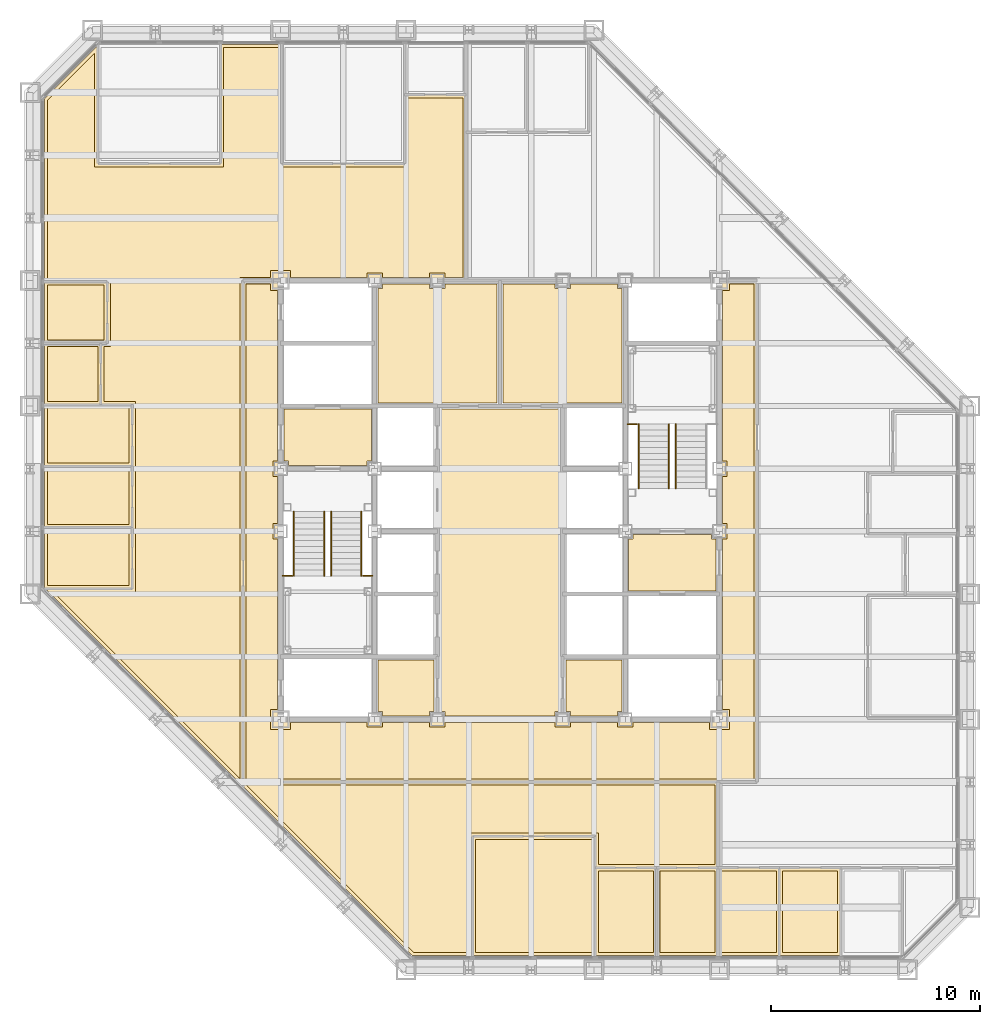
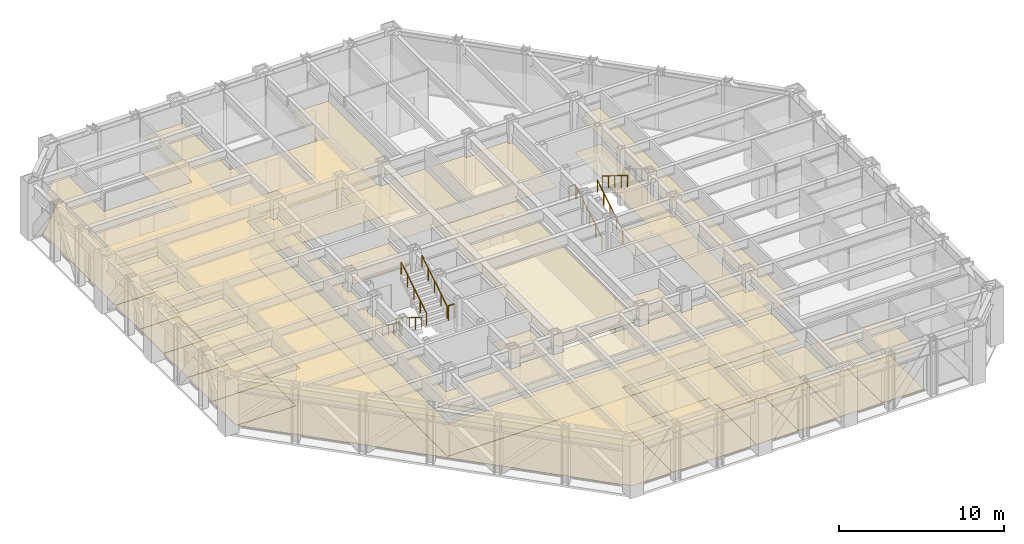
# One storey, part 14 of 16: 32 coverings, 10 railings.
"""IFC4 building model written with IfcOpenShell, lengths in metres."""

from ifc_helpers import new_model, si_unit, direction, frame, origin, origin_2d, place, context, subcontext, project, spatial, polyline, circle, outline, extrude, material, layer, layer_set, type_object, element, save


model = new_model("IFC4")

# Units and contexts
model_context = context("Model", 3, precision=1e-05, world=origin(), true_north=direction((0.0, 1.0)))
body_context = subcontext(model_context, "Body", "Model", "MODEL_VIEW")
ifc_project = project(units=[si_unit("LENGTHUNIT", "METRE"), si_unit("AREAUNIT", "SQUARE_METRE"), si_unit("VOLUMEUNIT", "CUBIC_METRE"), si_unit("PLANEANGLEUNIT", "RADIAN"), si_unit("MASSUNIT", "GRAM", prefix="KILO")], contexts=[model_context])

# Site, building, storey
site_placement = place(None, origin())
site = spatial("IfcSite", under=ifc_project, at=site_placement, CompositionType="ELEMENT")
building_placement = place(site_placement, origin())
building = spatial("IfcBuilding", under=site, at=building_placement, Name="Chuquiago Exchange Tower", CompositionType="ELEMENT")
storey_placement = place(building_placement, frame((0.0, 0.0, 161.39990234375)))
storey = spatial("IfcBuildingStorey", under=building, at=storey_placement, Name="L35", CompositionType="ELEMENT", Elevation=161.39990234375)

# Coverings
ifc_material_1 = material(Name="Mineral fibre tile, 600 x 600, on pale metal grid", Category="mineral fibre")
ifc_layer_1 = layer(ifc_material_1, 0.02001953125)
ifc_layer_set_1 = layer_set([ifc_layer_1], Name="CL1 suspended tile ceiling 20")
covering_type_1 = type_object("IfcCoveringType", Name="CL1 suspended tile ceiling 20", PredefinedType="CEILING", material=ifc_layer_set_1)
covering_1_placement = place(storey_placement, frame((0.0, 0.0, 2.800048828125)))
element("IfcCovering", 1, at=covering_1_placement, inside=storey, type_object=covering_type_1, Name="Ceiling Investor relations office", PredefinedType="CEILING", context=body_context, shape_type="SweptSolid", body=[
    extrude(outline(polyline([(21.33642578125, 6.25), (26.912109375, 6.25), (26.912109375, 0.85009765625), (21.33642578125, 0.85009765625), (21.33642578125, 6.25)])), origin(), (0.0, 0.0, 1.0), 0.02001953125),
])
covering_2_placement = place(storey_placement, frame((0.0, 0.0, 2.800048828125)))
element("IfcCovering", 2, at=covering_2_placement, inside=storey, type_object=covering_type_1, Name="Ceiling Office", PredefinedType="CEILING", context=body_context, shape_type="SweptSolid", body=[
    extrude(outline(polyline([(27.212158203125, 4.75), (29.85009765625, 4.75), (29.85009765625, 0.85009765625), (27.212158203125, 0.85009765625), (27.212158203125, 4.75)])), origin(), (0.0, 0.0, 1.0), 0.02001953125),
])
covering_3_placement = place(storey_placement, frame((0.0, 0.0, 2.800048828125)))
element("IfcCovering", 3, at=covering_3_placement, inside=storey, type_object=covering_type_1, Name="Ceiling Office", PredefinedType="CEILING", context=body_context, shape_type="SweptSolid", body=[
    extrude(outline(polyline([(30.14990234375, 4.75), (32.787841796875, 4.75), (32.787841796875, 0.85009765625), (30.14990234375, 0.85009765625), (30.14990234375, 4.75)])), origin(), (0.0, 0.0, 1.0), 0.02001953125),
])
covering_4_placement = place(storey_placement, frame((0.0, 0.0, 2.800048828125)))
element("IfcCovering", 4, at=covering_4_placement, inside=storey, type_object=covering_type_1, Name="Ceiling Office", PredefinedType="CEILING", context=body_context, shape_type="SweptSolid", body=[
    extrude(outline(polyline([(33.087890625, 4.75), (35.7255859375, 4.75), (35.7255859375, 0.85009765625), (33.087890625, 0.85009765625), (33.087890625, 4.75)])), origin(), (0.0, 0.0, 1.0), 0.02001953125),
])
covering_5_placement = place(storey_placement, frame((0.0, 0.0, 2.800048828125)))
element("IfcCovering", 5, at=covering_5_placement, inside=storey, type_object=covering_type_1, Name="Ceiling Office", PredefinedType="CEILING", context=body_context, shape_type="SweptSolid", body=[
    extrude(outline(polyline([(36.025634765625, 4.75), (38.66357421875, 4.75), (38.66357421875, 0.85009765625), (36.025634765625, 0.85009765625), (36.025634765625, 4.75)])), origin(), (0.0, 0.0, 1.0), 0.02001953125),
])
covering_6_placement = place(storey_placement, frame((0.0, 0.0, 2.800048828125)))
element("IfcCovering", 6, at=covering_6_placement, inside=storey, type_object=covering_type_1, Name="Ceiling Office", PredefinedType="CEILING", context=body_context, shape_type="SweptSolid", body=[
    extrude(outline(polyline([(0.85009765625, 21.036376953125), (4.75, 21.036376953125), (4.75, 18.3984375), (0.85009765625, 18.3984375), (0.85009765625, 21.036376953125)])), origin(), (0.0, 0.0, 1.0), 0.02001953125),
])
covering_7_placement = place(storey_placement, frame((0.0, 0.0, 2.800048828125)))
element("IfcCovering", 7, at=covering_7_placement, inside=storey, type_object=covering_type_1, Name="Ceiling Office", PredefinedType="CEILING", context=body_context, shape_type="SweptSolid", body=[
    extrude(outline(polyline([(4.75, 23.974365234375), (4.75, 21.33642578125), (0.85009765625, 21.33642578125), (0.85009765625, 23.974365234375), (4.75, 23.974365234375)])), origin(), (0.0, 0.0, 1.0), 0.02001953125),
])
covering_8_placement = place(storey_placement, frame((0.0, 0.0, 2.800048828125)))
element("IfcCovering", 8, at=covering_8_placement, inside=storey, type_object=covering_type_1, Name="Ceiling Office", PredefinedType="CEILING", context=body_context, shape_type="SweptSolid", body=[
    extrude(outline(polyline([(4.75, 26.912109375), (4.75, 24.2744140625), (0.85009765625, 24.2744140625), (0.85009765625, 26.912109375), (4.75, 26.912109375)])), origin(), (0.0, 0.0, 1.0), 0.02001953125),
])
covering_9_placement = place(storey_placement, frame((0.0, 0.0, 2.800048828125)))
element("IfcCovering", 9, at=covering_9_placement, inside=storey, type_object=covering_type_1, Name="Ceiling Store", PredefinedType="CEILING", context=body_context, shape_type="SweptSolid", body=[
    extrude(outline(polyline([(3.25, 29.85009765625), (3.25, 27.212158203125), (0.85009765625, 27.212158203125), (0.85009765625, 29.85009765625), (3.25, 29.85009765625)])), origin(), (0.0, 0.0, 1.0), 0.02001953125),
])
covering_10_placement = place(storey_placement, frame((0.0, 0.0, 2.800048828125)))
element("IfcCovering", 10, at=covering_10_placement, inside=storey, type_object=covering_type_1, Name="Ceiling Pantry", PredefinedType="CEILING", context=body_context, shape_type="SweptSolid", body=[
    extrude(outline(polyline([(3.550048828125, 32.787841796875), (3.550048828125, 30.14990234375), (0.85009765625, 30.14990234375), (0.85009765625, 32.787841796875), (3.550048828125, 32.787841796875)])), origin(), (0.0, 0.0, 1.0), 0.02001953125),
])
covering_11_placement = place(storey_placement, frame((0.0, 0.0, 2.800048828125)))
element("IfcCovering", 11, at=covering_11_placement, inside=storey, type_object=covering_type_1, Name="Ceiling Open office west suite", PredefinedType="CEILING", context=body_context, shape_type="SweptSolid", body=[
    extrude(outline(polyline([(3.098388671875, 38.449951171875), (9.2744140625, 38.449951171875), (9.2744140625, 44.14990234375), (11.912109375, 44.14990234375), (11.912109375, 38.449951171875), (18.087890625, 38.449951171875), (18.087890625, 41.75), (20.72509765625, 41.75), (20.72509765625, 33.14990234375), (19.875, 33.14990234375), (19.875, 33.375), (19.125, 33.375), (19.125, 33.14990234375), (16.875, 33.14990234375), (16.875, 33.375), (16.125, 33.375), (16.125, 33.14990234375), (12.47509765625, 33.150146484375), (12.47509765625, 33.47509765625), (11.52490234375, 33.47509765625), (11.52490234375, 33.150146484375), (10.049560546875, 33.150146484375), (10.049560546875, 9.15234375), (1.103515625, 18.098388671875), (5.050048828125, 18.098388671875), (5.050048828125, 27.212158203125), (3.550048828125, 27.212158203125), (3.550048828125, 29.85009765625), (3.85009765625, 29.85009765625), (3.85009765625, 33.087890625), (0.85009765625, 33.087890625), (0.85009765625, 41.64794921875), (3.098388671875, 43.896484375), (3.098388671875, 38.449951171875)])), origin(), (0.0, 0.0, 1.0), 0.02001953125),
])
covering_12_placement = place(storey_placement, frame((0.0, 0.0, 2.800048828125)))
element("IfcCovering", 12, at=covering_12_placement, inside=storey, type_object=covering_type_1, Name="Ceiling Open office west suite", PredefinedType="CEILING", context=body_context, shape_type="SweptSolid", body=[
    extrude(outline(polyline([(32.787353515625, 8.849609375), (32.787353515625, 5.050048828125), (27.212158203125, 5.050048828125), (27.212158203125, 6.550048828125), (21.036376953125, 6.550048828125), (21.036376953125, 0.85009765625), (18.35205078125, 0.85009765625), (10.352294921875, 8.849609375), (32.787353515625, 8.849609375)])), origin(), (0.0, 0.0, 1.0), 0.02001953125),
])
covering_13_placement = place(storey_placement, frame((0.0, 0.0, 2.800048828125)))
element("IfcCovering", 13, at=covering_13_placement, inside=storey, type_object=covering_type_1, Name="Ceiling Tenant corridor", PredefinedType="CEILING", context=body_context, shape_type="SweptSolid", body=[
    extrude(outline(polyline([(16.125, 11.85009765625), (16.125, 11.625), (16.875, 11.625), (16.875, 11.85009765625), (19.125, 11.85009765625), (19.125, 11.625), (19.875, 11.625), (19.875, 11.85009765625), (25.125, 11.85009765625), (25.125, 11.625), (25.875, 11.625), (25.875, 11.85009765625), (28.125, 11.85009765625), (28.125, 11.625), (28.875, 11.625), (28.875, 11.85009765625), (32.52490234375, 11.85009765625), (32.52490234375, 11.52490234375), (33.47509765625, 11.52490234375), (33.47509765625, 12.47509765625), (33.14990234375, 12.47509765625), (33.14990234375, 20.625), (33.375, 20.625), (33.375, 21.375), (33.14990234375, 21.375), (33.14990234375, 23.625), (33.375, 23.625), (33.375, 24.375), (33.14990234375, 24.375), (33.14990234375, 32.52490234375), (33.47509765625, 32.52490234375), (33.47509765625, 32.85009765625), (34.64990234375, 32.85009765625), (34.64990234375, 9.14990234375), (10.35009765625, 9.14990234375), (10.35009765625, 32.85009765625), (11.52490234375, 32.85009765625), (11.52490234375, 32.52490234375), (11.85009765625, 32.52490234375), (11.85009765625, 24.375), (11.625, 24.375), (11.625, 23.625), (11.85009765625, 23.625), (11.85009765625, 21.375), (11.625, 21.375), (11.625, 20.625), (11.85009765625, 20.625), (11.85009765625, 12.47509765625), (11.52490234375, 12.47509765625), (11.52490234375, 11.52490234375), (12.47509765625, 11.52490234375), (12.47509765625, 11.85009765625), (16.125, 11.85009765625)])), origin(), (0.0, 0.0, 1.0), 0.02001953125),
])
ifc_material_2 = material(Name="Moisture resistant plasterboard on metal frame", Category="gypsum")
ifc_layer_2 = layer(ifc_material_2, 0.014892578125)
ifc_layer_set_2 = layer_set([ifc_layer_2], Name="CL2 moisture resistant ceiling 15")
covering_type_2 = type_object("IfcCoveringType", Name="CL2 moisture resistant ceiling 15", PredefinedType="CEILING", material=ifc_layer_set_2)
covering_14_placement = place(storey_placement, frame((0.0, 0.0, 2.60009765625)))
element("IfcCovering", 14, at=covering_14_placement, inside=storey, type_object=covering_type_2, Name="Ceiling Male WC", PredefinedType="CEILING", context=body_context, shape_type="SweptSolid", body=[
    extrude(outline(polyline([(16.64990234375, 27.14990234375), (16.64990234375, 32.625), (16.875, 32.625), (16.875, 32.85009765625), (19.125, 32.85009765625), (19.125, 32.625), (19.875, 32.625), (19.875, 32.85009765625), (22.35009765625, 32.85009765625), (22.35009765625, 27.14990234375), (16.64990234375, 27.14990234375)])), origin(), (0.0, 0.0, 1.0), 0.014892578125),
])
covering_15_placement = place(storey_placement, frame((0.0, 0.0, 2.60009765625)))
element("IfcCovering", 15, at=covering_15_placement, inside=storey, type_object=covering_type_2, Name="Ceiling Female WC", PredefinedType="CEILING", context=body_context, shape_type="SweptSolid", body=[
    extrude(outline(polyline([(22.64990234375, 27.14990234375), (22.64990234375, 32.85009765625), (25.125, 32.85009765625), (25.125, 32.625), (25.875, 32.625), (25.875, 32.85009765625), (28.125, 32.85009765625), (28.125, 32.625), (28.35009765625, 32.625), (28.35009765625, 27.14990234375), (22.64990234375, 27.14990234375)])), origin(), (0.0, 0.0, 1.0), 0.014892578125),
])
covering_16_placement = place(storey_placement, frame((0.0, 0.0, 2.60009765625)))
element("IfcCovering", 16, at=covering_16_placement, inside=storey, type_object=covering_type_2, Name="Ceiling Accessible WC", PredefinedType="CEILING", context=body_context, shape_type="SweptSolid", body=[
    extrude(outline(polyline([(25.875, 12.14990234375), (25.875, 12.375), (25.64990234375, 12.375), (25.64990234375, 14.85009765625), (28.35009765625, 14.85009765625), (28.35009765625, 12.375), (28.125, 12.375), (28.125, 12.14990234375), (25.875, 12.14990234375)])), origin(), (0.0, 0.0, 1.0), 0.014892578125),
])
covering_17_placement = place(storey_placement, frame((0.0, 0.0, 2.60009765625)))
element("IfcCovering", 17, at=covering_17_placement, inside=storey, type_object=covering_type_2, Name="Ceiling Cleaner", PredefinedType="CEILING", context=body_context, shape_type="SweptSolid", body=[
    extrude(outline(polyline([(16.875, 12.14990234375), (16.875, 12.375), (16.64990234375, 12.375), (16.64990234375, 14.85009765625), (19.35009765625, 14.85009765625), (19.35009765625, 12.375), (19.125, 12.375), (19.125, 12.14990234375), (16.875, 12.14990234375)])), origin(), (0.0, 0.0, 1.0), 0.014892578125),
])
ifc_material_3 = material(Name="Pale metal plank ceiling, perforated", Category="aluminium")
ifc_layer_3 = layer(ifc_material_3, 0.030029296875)
ifc_layer_set_3 = layer_set([ifc_layer_3], Name="CL3 metal plank ceiling 30")
covering_type_3 = type_object("IfcCoveringType", Name="CL3 metal plank ceiling 30", PredefinedType="CEILING", material=ifc_layer_set_3)
covering_18_placement = place(storey_placement, frame((0.0, 0.0, 2.800048828125)))
element("IfcCovering", 18, at=covering_18_placement, inside=storey, type_object=covering_type_3, Name="Ceiling Lift lobby", PredefinedType="CEILING", context=body_context, shape_type="SweptSolid", body=[
    extrude(outline(polyline([(19.875, 12.14990234375), (19.875, 12.375), (19.64990234375, 12.375), (19.64990234375, 26.85009765625), (25.35009765625, 26.85009765625), (25.35009765625, 12.375), (25.125, 12.375), (25.125, 12.14990234375), (19.875, 12.14990234375)])), origin(), (0.0, 0.0, 1.0), 0.030029296875),
])
covering_19_placement = place(storey_placement, frame((0.0, 0.0, 2.800048828125)))
element("IfcCovering", 19, at=covering_19_placement, inside=storey, type_object=covering_type_3, Name="Ceiling Firefighting lobby", PredefinedType="CEILING", context=body_context, shape_type="SweptSolid", body=[
    extrude(outline(polyline([(12.375, 24.14990234375), (12.375, 24.375), (12.14990234375, 24.375), (12.14990234375, 26.85009765625), (16.35009765625, 26.85009765625), (16.35009765625, 24.375), (16.125, 24.375), (16.125, 24.14990234375), (12.375, 24.14990234375)])), origin(), (0.0, 0.0, 1.0), 0.030029296875),
])
covering_20_placement = place(storey_placement, frame((0.0, 0.0, 2.800048828125)))
element("IfcCovering", 20, at=covering_20_placement, inside=storey, type_object=covering_type_3, Name="Ceiling Firefighting lobby", PredefinedType="CEILING", context=body_context, shape_type="SweptSolid", body=[
    extrude(outline(polyline([(28.64990234375, 18.14990234375), (28.64990234375, 20.625), (28.875, 20.625), (28.875, 20.85009765625), (32.625, 20.85009765625), (32.625, 20.625), (32.85009765625, 20.625), (32.85009765625, 18.14990234375), (28.64990234375, 18.14990234375)])), origin(), (0.0, 0.0, 1.0), 0.030029296875),
])
ifc_material_4 = material(Name="Carpet tile, 500 x 500, on the floor slab", Category="textile")
ifc_layer_4 = layer(ifc_material_4, 0.010009765625)
ifc_layer_set_4 = layer_set([ifc_layer_4], Name="FL1 carpet tile 10")
covering_type_4 = type_object("IfcCoveringType", Name="FL1 carpet tile 10", PredefinedType="FLOORING", material=ifc_layer_set_4)
covering_21_placement = place(storey_placement, origin())
element("IfcCovering", 21, at=covering_21_placement, inside=storey, type_object=covering_type_4, Name="Floor finish Investor relations office", PredefinedType="FLOORING", context=body_context, shape_type="SweptSolid", body=[
    extrude(outline(polyline([(21.186279296875, 0.699951171875), (21.186279296875, 6.39990234375), (27.06201171875, 6.39990234375), (27.06201171875, 0.699951171875), (21.186279296875, 0.699951171875)])), origin(), (0.0, 0.0, 1.0), 0.010009765625),
])
covering_22_placement = place(storey_placement, origin())
element("IfcCovering", 22, at=covering_22_placement, inside=storey, type_object=covering_type_4, Name="Floor finish Office", PredefinedType="FLOORING", context=body_context, shape_type="SweptSolid", body=[
    extrude(outline(polyline([(27.06201171875, 0.699951171875), (27.06201171875, 4.89990234375), (30.0, 4.89990234375), (30.0, 0.699951171875), (27.06201171875, 0.699951171875)])), origin(), (0.0, 0.0, 1.0), 0.010009765625),
])
covering_23_placement = place(storey_placement, origin())
element("IfcCovering", 23, at=covering_23_placement, inside=storey, type_object=covering_type_4, Name="Floor finish Office", PredefinedType="FLOORING", context=body_context, shape_type="SweptSolid", body=[
    extrude(outline(polyline([(30.0, 0.699951171875), (30.0, 4.89990234375), (32.93798828125, 4.89990234375), (32.93798828125, 0.699951171875), (30.0, 0.699951171875)])), origin(), (0.0, 0.0, 1.0), 0.010009765625),
])
covering_24_placement = place(storey_placement, origin())
element("IfcCovering", 24, at=covering_24_placement, inside=storey, type_object=covering_type_4, Name="Floor finish Office", PredefinedType="FLOORING", context=body_context, shape_type="SweptSolid", body=[
    extrude(outline(polyline([(32.93798828125, 0.699951171875), (32.93798828125, 4.89990234375), (35.875732421875, 4.89990234375), (35.875732421875, 0.699951171875), (32.93798828125, 0.699951171875)])), origin(), (0.0, 0.0, 1.0), 0.010009765625),
])
covering_25_placement = place(storey_placement, origin())
element("IfcCovering", 25, at=covering_25_placement, inside=storey, type_object=covering_type_4, Name="Floor finish Office", PredefinedType="FLOORING", context=body_context, shape_type="SweptSolid", body=[
    extrude(outline(polyline([(35.875732421875, 0.699951171875), (35.875732421875, 4.89990234375), (38.813720703125, 4.89990234375), (38.813720703125, 0.699951171875), (35.875732421875, 0.699951171875)])), origin(), (0.0, 0.0, 1.0), 0.010009765625),
])
covering_26_placement = place(storey_placement, origin())
element("IfcCovering", 26, at=covering_26_placement, inside=storey, type_object=covering_type_4, Name="Floor finish Office", PredefinedType="FLOORING", context=body_context, shape_type="SweptSolid", body=[
    extrude(outline(polyline([(0.699951171875, 21.186279296875), (4.89990234375, 21.186279296875), (4.89990234375, 18.24853515625), (0.741455078125, 18.24853515625), (0.699951171875, 18.289794921875), (0.699951171875, 21.186279296875)])), origin(), (0.0, 0.0, 1.0), 0.010009765625),
])
covering_27_placement = place(storey_placement, origin())
element("IfcCovering", 27, at=covering_27_placement, inside=storey, type_object=covering_type_4, Name="Floor finish Office", PredefinedType="FLOORING", context=body_context, shape_type="SweptSolid", body=[
    extrude(outline(polyline([(0.699951171875, 24.124267578125), (4.89990234375, 24.124267578125), (4.89990234375, 21.186279296875), (0.699951171875, 21.186279296875), (0.699951171875, 24.124267578125)])), origin(), (0.0, 0.0, 1.0), 0.010009765625),
])
covering_28_placement = place(storey_placement, origin())
element("IfcCovering", 28, at=covering_28_placement, inside=storey, type_object=covering_type_4, Name="Floor finish Office", PredefinedType="FLOORING", context=body_context, shape_type="SweptSolid", body=[
    extrude(outline(polyline([(0.699951171875, 27.06201171875), (4.89990234375, 27.06201171875), (4.89990234375, 24.124267578125), (0.699951171875, 24.124267578125), (0.699951171875, 27.06201171875)])), origin(), (0.0, 0.0, 1.0), 0.010009765625),
])
covering_29_placement = place(storey_placement, origin())
element("IfcCovering", 29, at=covering_29_placement, inside=storey, type_object=covering_type_4, Name="Floor finish Open office west suite", PredefinedType="FLOORING", context=body_context, shape_type="SweptSolid", body=[
    extrude(outline(polyline([(3.24853515625, 44.258544921875), (3.24853515625, 38.60009765625), (9.124267578125, 38.60009765625), (9.124267578125, 44.300048828125), (12.06201171875, 44.300048828125), (12.06201171875, 38.60009765625), (17.93798828125, 38.60009765625), (17.93798828125, 41.89990234375), (20.875244140625, 41.89990234375), (20.875244140625, 33.0), (10.199462890625, 33.0), (10.19970703125, 8.999755859375), (32.9375, 8.99951171875), (32.9375, 4.89990234375), (27.06201171875, 4.89990234375), (27.06201171875, 6.39990234375), (21.186279296875, 6.39990234375), (21.186279296875, 0.699951171875), (18.289794921875, 0.699951171875), (0.741455078125, 18.24853515625), (4.89990234375, 18.24853515625), (4.89990234375, 27.06201171875), (3.39990234375, 27.06201171875), (3.39990234375, 30.0), (3.699951171875, 30.0), (3.699951171875, 32.93798828125), (0.699951171875, 32.93798828125), (0.699951171875, 41.710205078125), (3.289794921875, 44.300048828125), (3.24853515625, 44.258544921875)])), origin(), (0.0, 0.0, 1.0), 0.010009765625),
])
ifc_material_5 = material(Name="Porcelain floor tile, 600 x 600, on adhesive bed", Category="ceramic")
ifc_layer_5 = layer(ifc_material_5, 0.014892578125)
ifc_layer_set_5 = layer_set([ifc_layer_5], Name="FL2 porcelain tile 15")
covering_type_5 = type_object("IfcCoveringType", Name="FL2 porcelain tile 15", PredefinedType="FLOORING", material=ifc_layer_set_5)
covering_30_placement = place(storey_placement, origin())
element("IfcCovering", 30, at=covering_30_placement, inside=storey, type_object=covering_type_5, Name="Floor finish Store", PredefinedType="FLOORING", context=body_context, shape_type="SweptSolid", body=[
    extrude(outline(polyline([(0.699951171875, 30.0), (3.39990234375, 30.0), (3.39990234375, 27.06201171875), (0.699951171875, 27.06201171875), (0.699951171875, 30.0)])), origin(), (0.0, 0.0, 1.0), 0.01513671875),
])
covering_31_placement = place(storey_placement, origin())
element("IfcCovering", 31, at=covering_31_placement, inside=storey, type_object=covering_type_5, Name="Floor finish Pantry", PredefinedType="FLOORING", context=body_context, shape_type="SweptSolid", body=[
    extrude(outline(polyline([(0.699951171875, 32.93798828125), (3.699951171875, 32.93798828125), (3.699951171875, 30.0), (0.699951171875, 30.0), (0.699951171875, 32.93798828125)])), origin(), (0.0, 0.0, 1.0), 0.01513671875),
])
covering_32_placement = place(storey_placement, origin())
element("IfcCovering", 32, at=covering_32_placement, inside=storey, type_object=covering_type_5, Name="Floor finish Tenant corridor", PredefinedType="FLOORING", context=body_context, shape_type="SweptSolid", body=[
    extrude(outline(polyline([(12.0, 12.0), (33.0, 12.0), (33.0, 33.0), (34.800048828125, 33.0), (34.800048828125, 9.0), (10.199951171875, 9.0), (10.199951171875, 33.0), (12.0, 33.0), (12.0, 12.0)])), origin(), (0.0, 0.0, 1.0), 0.01513671875),
])

# Railings
ifc_material_6 = material(Name="Pale metal guard with safety glass infill", Category="glass")
railing_type_1 = type_object("IfcRailingType", Name="GR1 guard 1100", PredefinedType="GUARDRAIL", material=ifc_material_6)
for number, where, name in (
    (33, (12.10009765625, 18.8701171875, 2.10009765625), "Guard ST1 L35 landing 2"),
    (34, (15.945068359375, 18.8701171875, 2.10009765625), "Guard ST1 L35 landing 2"),
    (35, (28.60009765625, 26.1298828125, 2.10009765625), "Guard ST2 L35 landing 2"),
):
    element("IfcRailing", number, at=place(storey_placement, frame(where)), inside=storey, type_object=railing_type_1, Name=name, PredefinedType="GUARDRAIL", context=body_context, shape_type="SweptSolid", body=[
        extrude(circle(Radius=0.02392578125, at=origin_2d()), frame((0.0, 0.0, 1.076171875), z_axis=(1.0, 0.0, 0.0), x_axis=(0.0, 1.0, 0.0)), (0.0, 0.0, 1.0), 0.454833984375),
        extrude(circle(Radius=0.02099609375, at=origin_2d()), origin(), (0.0, 0.0, 1.0), 1.052001953125),
        extrude(circle(Radius=0.02099609375, at=origin_2d()), frame((0.454833984375, 0.0, 0.0)), (0.0, 0.0, 1.0), 1.052001953125),
    ])
ifc_material_7 = material(Name="Pale metal handrail", Category="steel")
railing_type_2 = type_object("IfcRailingType", Name="HR1 handrail 900", PredefinedType="HANDRAIL", material=ifc_material_7)
for number, where, name in (
    (36, (12.635009765625, 21.949951171875, 0.175048828125), "Handrail ST1 L35 flight 1"),
    (37, (14.0849609375, 21.949951171875, 0.175048828125), "Handrail ST1 L35 flight 1"),
):
    element("IfcRailing", number, at=place(storey_placement, frame(where)), inside=storey, type_object=railing_type_2, Name=name, PredefinedType="HANDRAIL", context=body_context, shape_type="SweptSolid", body=[
        extrude(circle(Radius=0.02392578125, at=origin_2d()), frame((0.0, 0.0, 0.8759765625), z_axis=(0.0, -0.847979421464, 0.530029150871), x_axis=(1.0, 0.0, 0.0)), (0.0, 0.0, 1.0), 3.632080078125),
        extrude(circle(Radius=0.02099609375, at=origin_2d()), origin(), (0.0, 0.0, 1.0), 0.851806640625),
        extrude(circle(Radius=0.02099609375, at=origin_2d()), frame((0.0, -0.77001953125, 0.481201171875)), (0.0, 0.0, 1.0), 0.851806640625),
        extrude(circle(Radius=0.02099609375, at=origin_2d()), frame((0.0, -1.5400390625, 0.96240234375)), (0.0, 0.0, 1.0), 0.851806640625),
        extrude(circle(Radius=0.02099609375, at=origin_2d()), frame((0.0, -2.309814453125, 1.44384765625)), (0.0, 0.0, 1.0), 0.851806640625),
        extrude(circle(Radius=0.02099609375, at=origin_2d()), frame((0.0, -3.079833984375, 1.925048828125)), (0.0, 0.0, 1.0), 0.851806640625),
    ])
for number, where, name in (
    (38, (15.864990234375, 18.8701171875, 2.275146484375), "Handrail ST1 L35 flight 2"),
    (39, (14.4150390625, 18.8701171875, 2.275146484375), "Handrail ST1 L35 flight 2"),
    (40, (30.5849609375, 23.050048828125, 0.175048828125), "Handrail ST2 L35 flight 1"),
    (41, (29.135009765625, 23.050048828125, 0.175048828125), "Handrail ST2 L35 flight 1"),
):
    element("IfcRailing", number, at=place(storey_placement, frame(where)), inside=storey, type_object=railing_type_2, Name=name, PredefinedType="HANDRAIL", context=body_context, shape_type="SweptSolid", body=[
        extrude(circle(Radius=0.02392578125, at=origin_2d()), frame((0.0, 0.0, 0.8759765625), z_axis=(0.0, 0.847979421464, 0.530029150871), x_axis=(-1.0, 0.0, 0.0)), (0.0, 0.0, 1.0), 3.632080078125),
        extrude(circle(Radius=0.02099609375, at=origin_2d()), origin(), (0.0, 0.0, 1.0), 0.851806640625),
        extrude(circle(Radius=0.02099609375, at=origin_2d()), frame((0.0, 0.77001953125, 0.481201171875)), (0.0, 0.0, 1.0), 0.851806640625),
        extrude(circle(Radius=0.02099609375, at=origin_2d()), frame((0.0, 1.5400390625, 0.96240234375)), (0.0, 0.0, 1.0), 0.851806640625),
        extrude(circle(Radius=0.02099609375, at=origin_2d()), frame((0.0, 2.309814453125, 1.44384765625)), (0.0, 0.0, 1.0), 0.851806640625),
        extrude(circle(Radius=0.02099609375, at=origin_2d()), frame((0.0, 3.079833984375, 1.925048828125)), (0.0, 0.0, 1.0), 0.851806640625),
    ])
railing_placement = place(storey_placement, frame((30.9150390625, 26.1298828125, 2.275146484375)))
element("IfcRailing", 42, at=railing_placement, inside=storey, type_object=railing_type_2, Name="Handrail ST2 L35 flight 2", PredefinedType="HANDRAIL", context=body_context, shape_type="SweptSolid", body=[
    extrude(circle(Radius=0.02392578125, at=origin_2d()), frame((0.0, 0.0, 0.8759765625), z_axis=(0.0, -0.847979421464, 0.530029150871), x_axis=(1.0, 0.0, 0.0)), (0.0, 0.0, 1.0), 3.632080078125),
    extrude(circle(Radius=0.02099609375, at=origin_2d()), origin(), (0.0, 0.0, 1.0), 0.851806640625),
    extrude(circle(Radius=0.02099609375, at=origin_2d()), frame((0.0, -0.77001953125, 0.481201171875)), (0.0, 0.0, 1.0), 0.851806640625),
    extrude(circle(Radius=0.02099609375, at=origin_2d()), frame((0.0, -1.5400390625, 0.96240234375)), (0.0, 0.0, 1.0), 0.851806640625),
    extrude(circle(Radius=0.02099609375, at=origin_2d()), frame((0.0, -2.309814453125, 1.44384765625)), (0.0, 0.0, 1.0), 0.851806640625),
    extrude(circle(Radius=0.02099609375, at=origin_2d()), frame((0.0, -3.079833984375, 1.925048828125)), (0.0, 0.0, 1.0), 0.851806640625),
])

save(model, "model.ifc")
